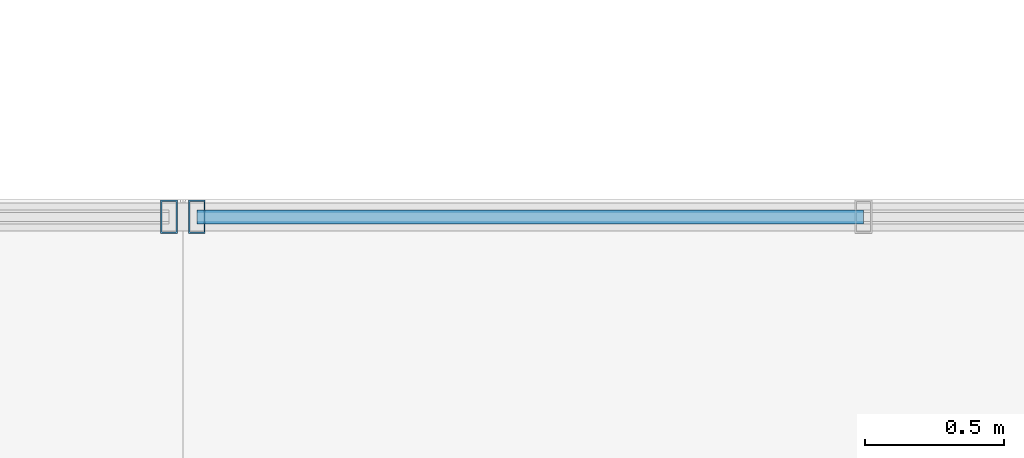
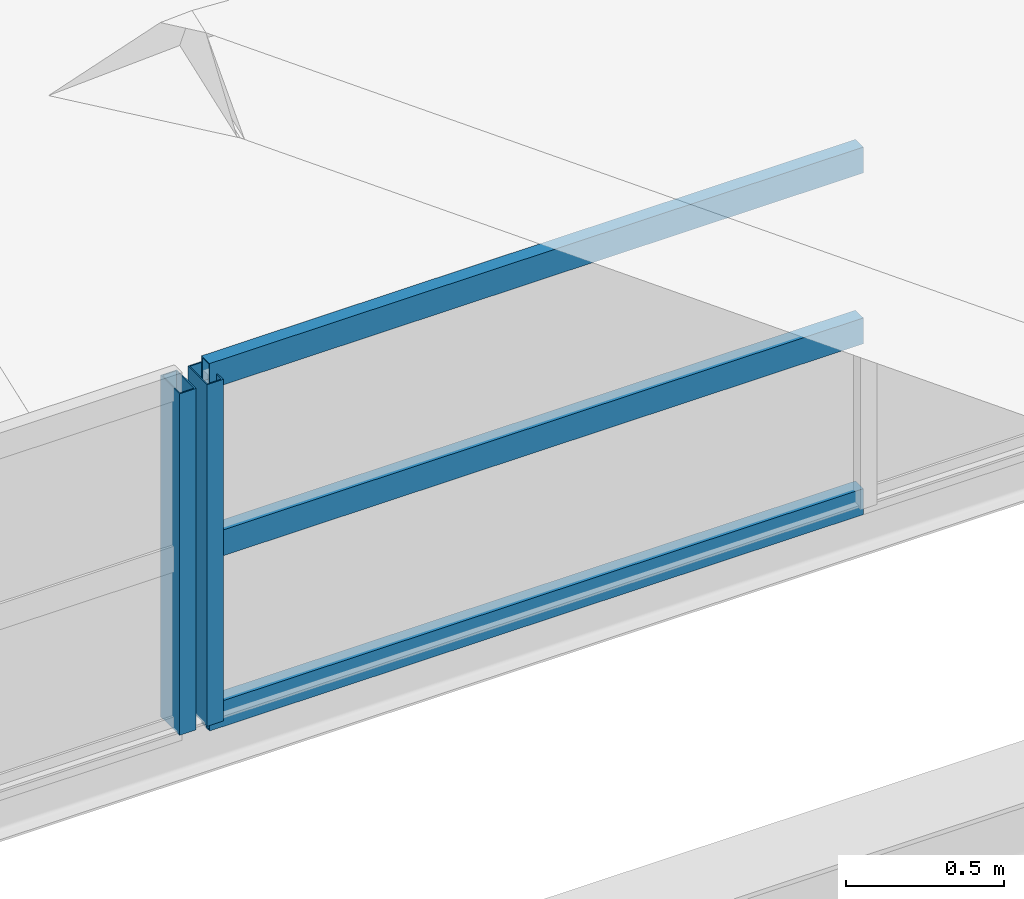
# One storey, part 39 of 141: 5 members, 2 elements without a shape of their own.
"""IFC4 building model written with IfcOpenShell, lengths in metres."""

from ifc_helpers import new_model, si_unit, direction, frame, origin, origin_2d, place, context, subcontext, project, spatial, hollow_rectangle, extrude, material, material_profile, profile_set, type_object, element, aggregate, save


model = new_model("IFC4")

# Units and contexts
model_context = context("Model", 3, precision=1e-05, world=origin(), true_north=direction((0.0, 1.0)))
body_context = subcontext(model_context, "Body", "Model", "MODEL_VIEW")
ifc_project = project(units=[si_unit("LENGTHUNIT", "METRE"), si_unit("AREAUNIT", "SQUARE_METRE"), si_unit("VOLUMEUNIT", "CUBIC_METRE"), si_unit("PLANEANGLEUNIT", "RADIAN"), si_unit("MASSUNIT", "GRAM", prefix="KILO")], contexts=[model_context])

# Site, building, storey
site_placement = place(None, origin())
site = spatial("IfcSite", under=ifc_project, at=site_placement, CompositionType="ELEMENT")
building_placement = place(site_placement, origin())
building = spatial("IfcBuilding", under=site, at=building_placement, Name="Sundkrona Museum", CompositionType="ELEMENT")
storey_placement = place(building_placement, frame((0.0, 0.0, 34.0)))
storey = spatial("IfcBuildingStorey", under=building, at=storey_placement, Name="RF", CompositionType="ELEMENT", Elevation=34.0)

# Curtain wall, member
ifc_material_1 = material(Name="Unitised Aluminium-Steel and Ceramic-Clad Curtain Walling", Category="steel")
curtain_wall_type = type_object("IfcCurtainWallType", Name="CW-SW-240x13", PredefinedType="NOTDEFINED", material=ifc_material_1)
curtain_wall_1_placement = place(storey_placement, origin())
curtain_wall_1 = element("IfcCurtainWall", 1, at=curtain_wall_1_placement, inside=storey, type_object=curtain_wall_type, Name="Sawtooth Bay 3 West North-Light Clerestory", PredefinedType="NOTDEFINED")
ifc_material_2 = material(Name="Aluminium EN AW-6060 T66", Category="aluminium")
ifc_material_profile_1 = material_profile(ifc_material_2, hollow_rectangle(XDim=0.06005859375, YDim=0.1201171875, WallThickness=0.0048828125, at=origin_2d()), Name="RHS 120x60x5.0")
ifc_profile_set_1 = profile_set([ifc_material_profile_1], Name="Aluminium EN AW-6060 T66")
member_type_1 = type_object("IfcMemberType", Name="ML-120", PredefinedType="MULLION", material=ifc_profile_set_1)
member_1_placement = place(storey_placement, frame((143.949951171875, 18.39990234375, 3.052978515625), z_axis=(0.0, 0.0, 1.0), x_axis=(1.0, 0.0, 0.0)))
member_1 = element("IfcMember", 2, at=member_1_placement, type_object=member_type_1, Name="CW-RF-SAW-03W Mullion 11", PredefinedType="MULLION", context=body_context, shape_type="SweptSolid", body=[
    extrude(hollow_rectangle(XDim=0.06005859375, YDim=0.1201171875, WallThickness=0.0048828125, at=origin_2d()), origin(), (0.0, 0.0, 1.0), 1.320068359375),
])
aggregate(curtain_wall_1, [member_1])

# Curtain wall, members
curtain_wall_2_placement = place(storey_placement, origin())
curtain_wall_2 = element("IfcCurtainWall", 3, at=curtain_wall_2_placement, inside=storey, type_object=curtain_wall_type, Name="Sawtooth Bay 3 East North-Light Clerestory", PredefinedType="NOTDEFINED")
member_2_placement = place(storey_placement, frame((144.050048828125, 18.39990234375, 3.052978515625), z_axis=(0.0, 0.0, 1.0), x_axis=(1.0, 0.0, 0.0)))
member_2 = element("IfcMember", 4, at=member_2_placement, type_object=member_type_1, Name="CW-RF-SAW-03E Mullion 01", PredefinedType="MULLION", context=body_context, shape_type="SweptSolid", body=[
    extrude(hollow_rectangle(XDim=0.06005859375, YDim=0.1201171875, WallThickness=0.0048828125, at=origin_2d()), origin(), (0.0, 0.0, 1.0), 1.320068359375),
])
ifc_material_profile_2 = material_profile(ifc_material_2, hollow_rectangle(XDim=0.050048828125, YDim=0.10009765625, WallThickness=0.0048828125, at=origin_2d()), Name="RHS 100x50x5.0")
ifc_profile_set_2 = profile_set([ifc_material_profile_2], Name="Aluminium EN AW-6060 T66")
member_type_2 = type_object("IfcMemberType", Name="TR-100", PredefinedType="USERDEFINED", material=ifc_profile_set_2)
member_3_placement = place(storey_placement, frame((144.050048828125, 18.39990234375, 3.052978515625), z_axis=(1.0, 0.0, 0.0), x_axis=(0.0, 1.0, 0.0)))
member_3 = element("IfcMember", 5, at=member_3_placement, type_object=member_type_2, Name="CW-RF-SAW-03E Transom 01", ObjectType="TRANSOM", PredefinedType="USERDEFINED", context=body_context, shape_type="SweptSolid", body=[
    extrude(hollow_rectangle(XDim=0.050048828125, YDim=0.10009765625, WallThickness=0.0048828125, at=origin_2d()), origin(), (0.0, 0.0, 1.0), 2.389892578125),
])
member_4_placement = place(storey_placement, frame((144.050048828125, 18.39990234375, 3.712890625), z_axis=(1.0, 0.0, 0.0), x_axis=(0.0, 1.0, 0.0)))
member_4 = element("IfcMember", 6, at=member_4_placement, type_object=member_type_2, Name="CW-RF-SAW-03E Transom 02", ObjectType="TRANSOM", PredefinedType="USERDEFINED", context=body_context, shape_type="SweptSolid", body=[
    extrude(hollow_rectangle(XDim=0.050048828125, YDim=0.10009765625, WallThickness=0.0048828125, at=origin_2d()), origin(), (0.0, 0.0, 1.0), 2.389892578125),
])
member_5_placement = place(storey_placement, frame((144.050048828125, 18.39990234375, 4.373046875), z_axis=(1.0, 0.0, 0.0), x_axis=(0.0, 1.0, 0.0)))
member_5 = element("IfcMember", 7, at=member_5_placement, type_object=member_type_2, Name="CW-RF-SAW-03E Transom 03", ObjectType="TRANSOM", PredefinedType="USERDEFINED", context=body_context, shape_type="SweptSolid", body=[
    extrude(hollow_rectangle(XDim=0.050048828125, YDim=0.10009765625, WallThickness=0.0048828125, at=origin_2d()), origin(), (0.0, 0.0, 1.0), 2.389892578125),
])
aggregate(curtain_wall_2, [member_2, member_3, member_4, member_5])

save(model, "model.ifc")
